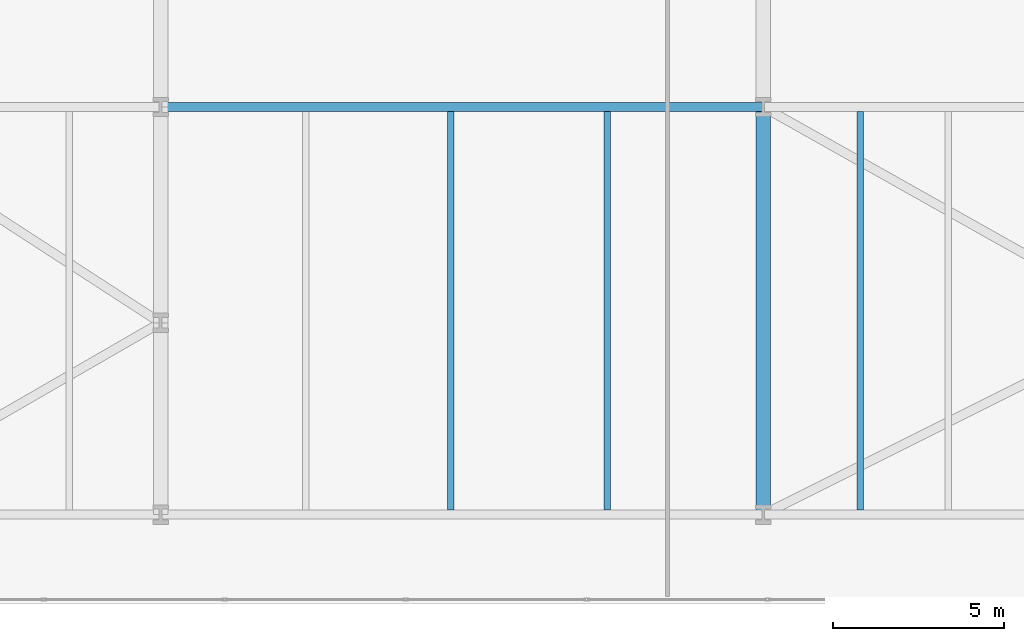
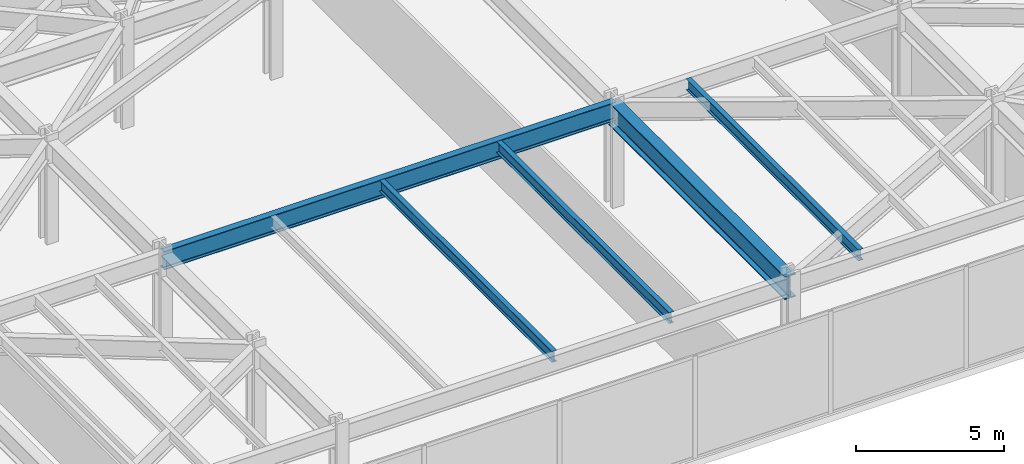
# One storey, part 15 of 28: 5 beams.
"""IFC4 building model written with IfcOpenShell, lengths in metres."""

from ifc_helpers import new_model, si_unit, direction, frame, origin, origin_2d, place, context, subcontext, project, spatial, i_section, extrude, material, material_profile, profile_set, type_object, element, save


model = new_model("IFC4")

# Units and contexts
model_context = context("Model", 3, precision=1e-05, world=origin(), true_north=direction((0.0, 1.0)))
body_context = subcontext(model_context, "Body", "Model", "MODEL_VIEW")
ifc_project = project(units=[si_unit("LENGTHUNIT", "METRE"), si_unit("AREAUNIT", "SQUARE_METRE"), si_unit("VOLUMEUNIT", "CUBIC_METRE"), si_unit("PLANEANGLEUNIT", "RADIAN"), si_unit("MASSUNIT", "GRAM", prefix="KILO")], contexts=[model_context])

# Site, building, storey
site_placement = place(None, origin())
site = spatial("IfcSite", under=ifc_project, at=site_placement, CompositionType="ELEMENT")
building_placement = place(site_placement, origin())
building = spatial("IfcBuilding", under=site, at=building_placement, Name="Kravanh Interchange Tower", CompositionType="ELEMENT")
storey_placement = place(building_placement, frame((0.0, 0.0, 15.300048828125)))
storey = spatial("IfcBuildingStorey", under=building, at=storey_placement, Name="L03", CompositionType="ELEMENT", Elevation=15.300048828125)

# Beams
ifc_material_1 = material(Name="Structural Steel S450", Category="steel")
ifc_material_profile_1 = material_profile(ifc_material_1, i_section(OverallWidth=0.423095703125, OverallDepth=0.947998046875, WebThickness=0.02392578125, FlangeThickness=0.042724609375, FilletRadius=0.028076171875, at=origin_2d()), Name="W36X302")
ifc_profile_set_1 = profile_set([ifc_material_profile_1], Name="Structural Steel S450")
beam_type_1 = type_object("IfcBeamType", Name="Floor Beam W36X302 Structural Steel S450", PredefinedType="BEAM", material=ifc_profile_set_1)
beam_1_placement = place(storey_placement, frame((44.800048828125, 2.60009765625, 3.755859375), z_axis=(0.0, 1.0, 0.0), x_axis=(-1.0, 0.0, 0.0)))
element("IfcBeam", 1, at=beam_1_placement, inside=storey, type_object=beam_type_1, Name="L03 Primary Floor Girder 11", PredefinedType="BEAM", context=body_context, shape_type="SweptSolid", body=[
    extrude(i_section(OverallWidth=0.423095703125, OverallDepth=0.947998046875, WebThickness=0.02392578125, FlangeThickness=0.042724609375, FilletRadius=0.028076171875, at=origin_2d()), origin(), (0.0, 0.0, 1.0), 11.89990234375),
])
ifc_material_2 = material(Name="Structural Steel S355", Category="steel")
ifc_material_profile_2 = material_profile(ifc_material_2, i_section(OverallWidth=0.18994140625, OverallDepth=0.45703125, WebThickness=0.009033203125, FlangeThickness=0.014404296875, FilletRadius=0.01806640625, at=origin_2d()), Name="W18X50")
ifc_profile_set_2 = profile_set([ifc_material_profile_2], Name="Structural Steel S355")
beam_type_2 = type_object("IfcBeamType", Name="Floor Joist W18X50 Structural Steel S355", PredefinedType="JOIST", material=ifc_profile_set_2)
for number, where, z_axis, x_axis, name in (
    (2, (35.674072265625, 2.728515625, 4.00146484375), (0.0, 1.0, 0.0), (-1.0, 0.0, 0.0), "L03 Secondary Floor Joist 8"),
    (3, (40.238037109375, 2.728515625, 4.00146484375), (0.0, 1.0, 0.0), (-1.0, 0.0, 0.0), "L03 Secondary Floor Joist 9"),
    (4, (47.6279296875, 2.728515625, 4.00146484375), (0.0, 1.0, 0.0), (-1.0, 0.0, 0.0), "L03 Secondary Floor Joist 10"),
):
    element("IfcBeam", number, at=place(storey_placement, frame(where, z_axis=z_axis, x_axis=x_axis)), inside=storey, type_object=beam_type_2, Name=name, PredefinedType="JOIST", context=body_context, shape_type="SweptSolid", body=[
        extrude(i_section(OverallWidth=0.18994140625, OverallDepth=0.45703125, WebThickness=0.009033203125, FlangeThickness=0.014404296875, FilletRadius=0.01806640625, at=origin_2d()), origin(), (0.0, 0.0, 1.0), 11.64306640625),
    ])
ifc_material_3 = material(Name="Structural Steel S355", Category="steel")
ifc_material_profile_3 = material_profile(ifc_material_3, i_section(OverallWidth=0.26708984375, OverallDepth=0.761962890625, WebThickness=0.014404296875, FlangeThickness=0.021484375, FilletRadius=0.02490234375, at=origin_2d()), Name="W30X116")
ifc_profile_set_3 = profile_set([ifc_material_profile_3], Name="Structural Steel S355")
beam_type_3 = type_object("IfcBeamType", Name="Floor Spandrel W30X116 Structural Steel S355", PredefinedType="SPANDREL", material=ifc_profile_set_3)
beam_2_placement = place(storey_placement, frame((27.199951171875, 14.5, 3.848876953125), z_axis=(1.0, 0.0, 0.0), x_axis=(0.0, 1.0, 0.0)))
element("IfcBeam", 5, at=beam_2_placement, inside=storey, type_object=beam_type_3, Name="L03 Perimeter Spandrel 46", PredefinedType="SPANDREL", context=body_context, shape_type="SweptSolid", body=[
    extrude(i_section(OverallWidth=0.26708984375, OverallDepth=0.761962890625, WebThickness=0.014404296875, FlangeThickness=0.021484375, FilletRadius=0.02490234375, at=origin_2d()), origin(), (0.0, 0.0, 1.0), 17.60009765625),
])

save(model, "model.ifc")
